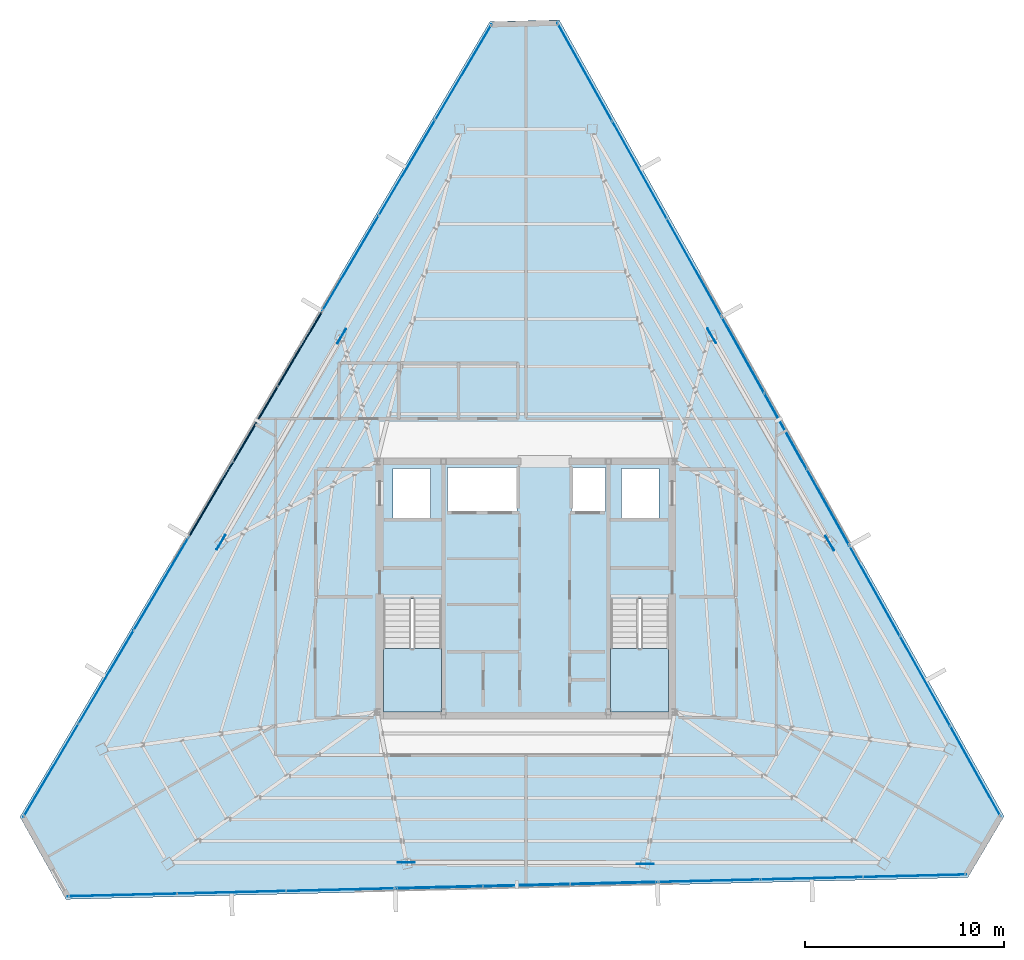
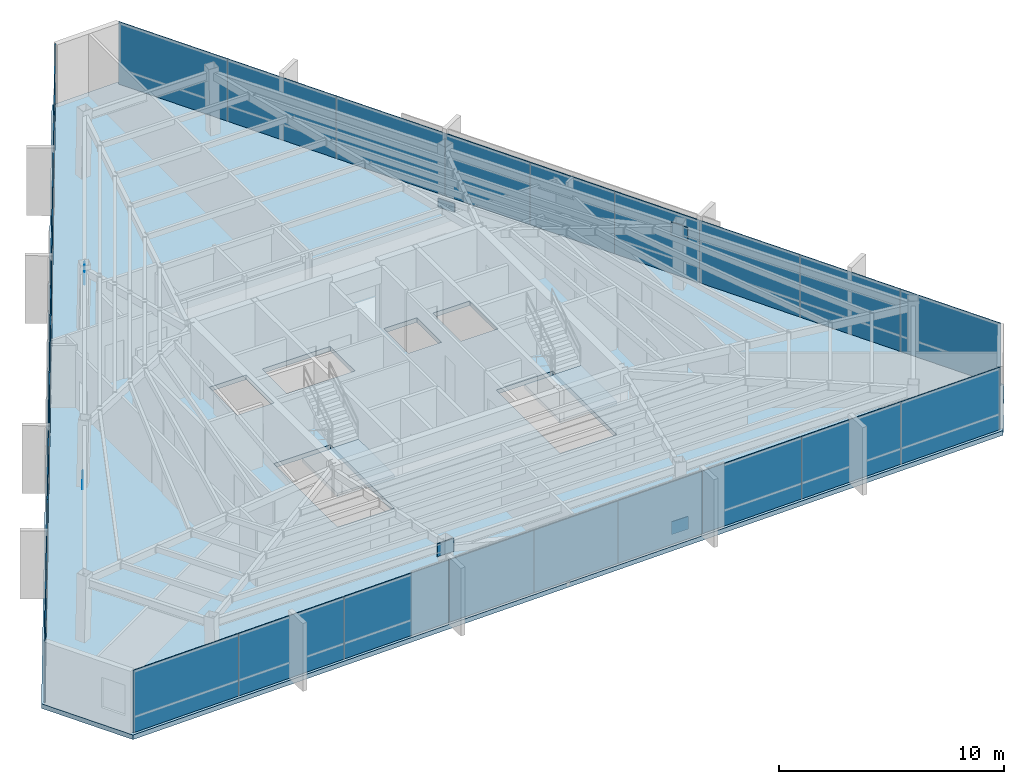
# One storey, part 39 of 48: 33 plates, 3 slabs, 11 elements without a shape of their own.
"""IFC4 building model written with IfcOpenShell, lengths in metres."""

from ifc_helpers import new_model, si_unit, direction, frame, origin, origin_2d, place, context, subcontext, project, spatial, polyline, rectangle, outline, extrude, source, transform, mapped, material, layer, layer_set, type_object, type_shapes, element, aggregate, save


model = new_model("IFC4")

# Units and contexts
model_context = context("Model", 3, precision=1e-05, world=origin(), true_north=direction((0.0, 1.0)))
body_context = subcontext(model_context, "Body", "Model", "MODEL_VIEW")
ifc_project = project(units=[si_unit("LENGTHUNIT", "METRE"), si_unit("AREAUNIT", "SQUARE_METRE"), si_unit("VOLUMEUNIT", "CUBIC_METRE"), si_unit("PLANEANGLEUNIT", "RADIAN"), si_unit("MASSUNIT", "GRAM", prefix="KILO")], contexts=[model_context])

# Site, building, storey
site_placement = place(None, origin())
site = spatial("IfcSite", under=ifc_project, at=site_placement, CompositionType="ELEMENT")
building_placement = place(site_placement, origin())
building = spatial("IfcBuilding", under=site, at=building_placement, Name="Caelisora Broadcast Tower", CompositionType="ELEMENT")
storey_placement = place(building_placement, frame((0.0, 0.0, 277.300048828125)))
storey = spatial("IfcBuildingStorey", under=building, at=storey_placement, Name="L73", CompositionType="ELEMENT", Elevation=277.300048828125)

# Slab
ifc_material_1 = material(Name="Concrete 40 MPa (AS 3600 N40)", Category="concrete")
ifc_layer_1 = layer(ifc_material_1, 0.25, Name="Concrete 40 MPa (AS 3600 N40)")
ifc_layer_set_1 = layer_set([ifc_layer_1], Name="Concrete 40 MPa (AS 3600 N40)")
slab_type_1 = type_object("IfcSlabType", Name="SL04", PredefinedType="FLOOR", material=ifc_layer_set_1)
slab_1_placement = place(storey_placement, frame((0.0, 0.0, -0.25)))
element("IfcSlab", 1, at=slab_1_placement, inside=storey, type_object=slab_type_1, Name="L73 suspended floor SL04", PredefinedType="FLOOR", context=body_context, shape_type="SweptSolid", body=[
    extrude(outline(polyline([(39.672119140625, 52.2099609375), (36.181884765625, 52.1259765625), (12.5419921875, 12.110107421875), (14.85693359375, 7.965087890625), (60.23388671875, 9.06396484375), (62.052001953125, 12.14208984375), (39.672119140625, 52.2099609375)]), holes=[polyline([(30.820068359375, 17.39990234375), (33.739990234375, 17.39990234375), (33.739990234375, 23.080078125), (30.820068359375, 23.080078125), (30.820068359375, 17.39990234375)]), polyline([(42.260009765625, 17.39990234375), (45.179931640625, 17.39990234375), (45.179931640625, 23.080078125), (42.260009765625, 23.080078125), (42.260009765625, 17.39990234375)]), polyline([(42.800048828125, 27.14990234375), (44.699951171875, 27.14990234375), (44.699951171875, 29.64990234375), (42.800048828125, 29.64990234375), (42.800048828125, 27.14990234375)]), polyline([(40.300048828125, 27.5), (42.0, 27.5), (42.0, 29.699951171875), (40.300048828125, 29.699951171875), (40.300048828125, 27.5)]), polyline([(34.050048828125, 27.5), (37.550048828125, 27.5), (37.550048828125, 29.699951171875), (34.050048828125, 29.699951171875), (34.050048828125, 27.5)]), polyline([(31.300048828125, 27.14990234375), (33.199951171875, 27.14990234375), (33.199951171875, 29.64990234375), (31.300048828125, 29.64990234375), (31.300048828125, 27.14990234375)])]), origin(), (0.0, 0.0, 1.0), 0.25),
])

# Stair, slab
stair_type_1 = type_object("IfcStairType", Name="ST-1", PredefinedType="HALF_TURN_STAIR", material=ifc_material_1)
stair_1_placement = place(storey_placement, origin())
stair_1 = element("IfcStair", 2, at=stair_1_placement, inside=storey, type_object=stair_type_1, Name="L73 West Fire-Isolated Tower Stair", PredefinedType="HALF_TURN_STAIR")
ifc_layer_2 = layer(ifc_material_1, 0.199951171875, Name="Concrete 40 MPa (AS 3600 N40)")
ifc_layer_set_2 = layer_set([ifc_layer_2], Name="Concrete 40 MPa (AS 3600 N40)")
slab_type_2 = type_object("IfcSlabType", Name="STL-1", PredefinedType="LANDING", material=ifc_layer_set_2)
slab_2_placement = place(storey_placement, frame((0.0, 0.0, 1.625)))
slab_2 = element("IfcSlab", 3, at=slab_2_placement, type_object=slab_type_2, Name="ST-1 landing 1", PredefinedType="LANDING", context=body_context, shape_type="SweptSolid", body=[
    extrude(outline(polyline([(30.820068359375, 20.580078125), (30.820068359375, 17.39990234375), (33.739990234375, 17.39990234375), (33.739990234375, 20.580078125), (30.820068359375, 20.580078125)])), origin(), (0.0, 0.0, 1.0), 0.199951171875),
])
aggregate(stair_1, [slab_2])

stair_type_2 = type_object("IfcStairType", Name="ST-2", PredefinedType="HALF_TURN_STAIR", material=ifc_material_1)
stair_2_placement = place(storey_placement, origin())
stair_2 = element("IfcStair", 4, at=stair_2_placement, inside=storey, type_object=stair_type_2, Name="L73 East Fire-Isolated Tower Stair", PredefinedType="HALF_TURN_STAIR")
slab_3_placement = place(storey_placement, frame((0.0, 0.0, 1.625)))
slab_3 = element("IfcSlab", 5, at=slab_3_placement, type_object=slab_type_2, Name="ST-2 landing 1", PredefinedType="LANDING", context=body_context, shape_type="SweptSolid", body=[
    extrude(outline(polyline([(42.260009765625, 20.580078125), (42.260009765625, 17.39990234375), (45.179931640625, 17.39990234375), (45.179931640625, 20.580078125), (42.260009765625, 20.580078125)])), origin(), (0.0, 0.0, 1.0), 0.199951171875),
])
aggregate(stair_2, [slab_3])

# Plates
ifc_material_2 = material(Name="Steel Grade 350 L15 (AS/NZS 3678)", Category="steel")
ifc_layer_3 = layer(ifc_material_2, 0.0400390625, Name="Steel Grade 350 L15 (AS/NZS 3678)")
ifc_layer_set_3 = layer_set([ifc_layer_3], Name="Steel Grade 350 L15 (AS/NZS 3678)")
plate_type_1 = type_object("IfcPlateType", Name="GP04", PredefinedType="USERDEFINED", material=ifc_layer_set_3)
shared_shape_1 = source(origin(), body_context, "Body", "SweptSolid", [
    extrude(rectangle(XDim=0.85009765625, YDim=0.0400390625, at=origin_2d()), origin(), (0.0, 0.0, 1.0), 0.699951171875),
])
type_shapes(plate_type_1, [shared_shape_1])
for number, where, z_axis, x_axis, name in (
    (6, (28.7255859375, 36.2998046875, 2.72998046875), (0.0, 0.0, 1.0), (-0.5, -0.866025403784, 0.0), "L73 gusset plate GP04 (ND-L73-C02T)"),
    (7, (22.656494140625, 25.93212890625, -0.22998046875), (0.0, 0.0, 1.0), (-0.5, -0.866025403784, 0.0), "L73 gusset plate GP04 (ND-L73-C03B)"),
    (8, (31.985107421875, 9.818115234375, 2.72998046875), (0.0, 0.0, 1.0), (1.0, 0.0, 0.0), "L73 gusset plate GP04 (ND-L73-C06T)"),
    (9, (43.998291015625, 9.745849609375, -0.22998046875), (0.0, 0.0, 1.0), (1.0, 0.0, 0.0), "L73 gusset plate GP04 (ND-L73-C07B)"),
    (10, (53.289306640625, 25.8818359375, 2.72998046875), (0.0, 0.0, 1.0), (-0.5, 0.866025403784, 0.0), "L73 gusset plate GP04 (ND-L73-C10T)"),
    (11, (47.34521484375, 36.322021484375, -0.22998046875), (0.0, 0.0, 1.0), (-0.5, 0.866025403784, 0.0), "L73 gusset plate GP04 (ND-L73-C11B)"),
):
    element("IfcPlate", number, at=place(storey_placement, frame(where, z_axis=z_axis, x_axis=x_axis)), inside=storey, type_object=plate_type_1, Name=name, ObjectType="GUSSET PLATE", PredefinedType="USERDEFINED", context=body_context, shape_type="MappedRepresentation", body=[
        mapped(shared_shape_1, transform((0.0, 0.0, 0.0), scale=1.0)),
    ])

# Curtain wall, plates
ifc_material_3 = material(Name="Unitised Aluminium and Low-E Glass Curtain Wall", Category="glass")
curtain_wall_type_1 = type_object("IfcCurtainWallType", Name="CW-Z5", PredefinedType="NOTDEFINED", material=ifc_material_3)
curtain_wall_1_placement = place(storey_placement, origin())
curtain_wall_1 = element("IfcCurtainWall", 12, at=curtain_wall_1_placement, inside=storey, type_object=curtain_wall_type_1, Name="L73 curtain wall CW-Z5", PredefinedType="NOTDEFINED")
ifc_material_4 = material(Name="Double Glazed Low-E Argon IGU", Category="glass")
ifc_layer_4 = layer(ifc_material_4, 0.028076171875, Name="Double Glazed Low-E Argon IGU")
ifc_layer_set_4 = layer_set([ifc_layer_4], Name="Double Glazed Low-E Argon IGU")
plate_type_2 = type_object("IfcPlateType", Name="CWP-06", PredefinedType="CURTAIN_PANEL", material=ifc_layer_set_4)
shared_shape_2 = source(origin(), body_context, "Body", "SweptSolid", [
    extrude(rectangle(XDim=5.63916015625, YDim=0.028076171875, at=origin_2d()), origin(), (0.0, 0.0, 1.0), 3.39990234375),
])
plate_1_placement = place(storey_placement, frame((40.9599609375, 49.596435546875, 0.0), z_axis=(0.0, 0.0, 1.0), x_axis=(0.487707298065, -0.873007211547, 0.0)))
plate_1 = element("IfcPlate", 13, at=plate_1_placement, type_object=plate_type_2, Name="L73-CW-B01 glazed panel #1", PredefinedType="CURTAIN_PANEL", context=body_context, shape_type="MappedRepresentation", body=[
    mapped(shared_shape_2, transform((0.0, 0.0, 0.0), scale=1.0)),
])
plate_2_placement = place(storey_placement, frame((43.709716796875, 44.673095703125, 0.0), z_axis=(0.0, 0.0, 1.0), x_axis=(0.487707298065, -0.873007211547, 0.0)))
plate_2 = element("IfcPlate", 14, at=plate_2_placement, type_object=plate_type_2, Name="L73-CW-B01 glazed panel #2", PredefinedType="CURTAIN_PANEL", context=body_context, shape_type="MappedRepresentation", body=[
    mapped(shared_shape_2, transform((0.0, 0.0, 0.0), scale=1.0)),
])
plate_3_placement = place(storey_placement, frame((46.459716796875, 39.75, 0.0), z_axis=(0.0, 0.0, 1.0), x_axis=(0.487707298065, -0.873007211547, 0.0)))
plate_3 = element("IfcPlate", 15, at=plate_3_placement, type_object=plate_type_2, Name="L73-CW-B01 glazed panel #3", PredefinedType="CURTAIN_PANEL", context=body_context, shape_type="MappedRepresentation", body=[
    mapped(shared_shape_2, transform((0.0, 0.0, 0.0), scale=1.0)),
])
aggregate(curtain_wall_1, [plate_1, plate_2, plate_3])

ifc_material_5 = material(Name="Unitised Aluminium Insulated Shadow-Box Spandrel Curtain Wall", Category="aluminium")
curtain_wall_type_2 = type_object("IfcCurtainWallType", Name="CW-SP3", PredefinedType="NOTDEFINED", material=ifc_material_5)
curtain_wall_2_placement = place(storey_placement, origin())
curtain_wall_2 = element("IfcCurtainWall", 16, at=curtain_wall_2_placement, inside=storey, type_object=curtain_wall_type_2, Name="L73 curtain wall CW-SP3", PredefinedType="NOTDEFINED")
ifc_material_6 = material(Name="Insulated Terracotta Shadow-Box Spandrel Panel", Category="aluminium")
ifc_layer_5 = layer(ifc_material_6, 0.0439453125, Name="Insulated Terracotta Shadow-Box Spandrel Panel")
ifc_layer_set_5 = layer_set([ifc_layer_5], Name="Insulated Terracotta Shadow-Box Spandrel Panel")
plate_type_3 = type_object("IfcPlateType", Name="CWP-10", PredefinedType="CURTAIN_PANEL", material=ifc_layer_set_5)
shared_shape_3 = source(origin(), body_context, "Body", "SweptSolid", [
    extrude(rectangle(XDim=4.395263671875, YDim=0.0439453125, at=origin_2d()), origin(), (0.0, 0.0, 1.0), 3.39990234375),
])
plate_4_placement = place(storey_placement, frame((48.9111328125, 35.36083984375, 0.0), z_axis=(0.0, 0.0, 1.0), x_axis=(0.487707298065, -0.873007211547, 0.0)))
plate_4 = element("IfcPlate", 17, at=plate_4_placement, type_object=plate_type_3, Name="L73-CW-B02 spandrel panel #1", PredefinedType="CURTAIN_PANEL", context=body_context, shape_type="MappedRepresentation", body=[
    mapped(shared_shape_3, transform((0.0, 0.0, 0.0), scale=1.0)),
])
plate_5_placement = place(storey_placement, frame((51.054443359375, 31.523681640625, 0.0), z_axis=(0.0, 0.0, 1.0), x_axis=(0.487707298065, -0.873007211547, 0.0)))
plate_5 = element("IfcPlate", 18, at=plate_5_placement, type_object=plate_type_3, Name="L73-CW-B02 spandrel panel #2", PredefinedType="CURTAIN_PANEL", context=body_context, shape_type="MappedRepresentation", body=[
    mapped(shared_shape_3, transform((0.0, 0.0, 0.0), scale=1.0)),
])
plate_6_placement = place(storey_placement, frame((53.19775390625, 27.686279296875, 0.0), z_axis=(0.0, 0.0, 1.0), x_axis=(0.487707298065, -0.873007211547, 0.0)))
plate_6 = element("IfcPlate", 19, at=plate_6_placement, type_object=plate_type_3, Name="L73-CW-B02 spandrel panel #3", PredefinedType="CURTAIN_PANEL", context=body_context, shape_type="MappedRepresentation", body=[
    mapped(shared_shape_3, transform((0.0, 0.0, 0.0), scale=1.0)),
])
aggregate(curtain_wall_2, [plate_4, plate_5, plate_6])

curtain_wall_3_placement = place(storey_placement, origin())
curtain_wall_3 = element("IfcCurtainWall", 20, at=curtain_wall_3_placement, inside=storey, type_object=curtain_wall_type_1, Name="L73 curtain wall CW-Z5", PredefinedType="NOTDEFINED")
shared_shape_4 = source(origin(), body_context, "Body", "SweptSolid", [
    extrude(rectangle(XDim=5.1982421875, YDim=0.028076171875, at=origin_2d()), origin(), (0.0, 0.0, 1.0), 3.39990234375),
])
plate_7_placement = place(storey_placement, frame((55.541748046875, 23.489990234375, 0.0), z_axis=(0.0, 0.0, 1.0), x_axis=(0.487707298065, -0.873007211547, 0.0)))
plate_7 = element("IfcPlate", 21, at=plate_7_placement, type_object=plate_type_2, Name="L73-CW-B03 glazed panel #1", PredefinedType="CURTAIN_PANEL", context=body_context, shape_type="MappedRepresentation", body=[
    mapped(shared_shape_4, transform((0.0, 0.0, 0.0), scale=1.0)),
])
plate_8_placement = place(storey_placement, frame((58.07666015625, 18.951416015625, 0.0), z_axis=(0.0, 0.0, 1.0), x_axis=(0.487707298065, -0.873007211547, 0.0)))
plate_8 = element("IfcPlate", 22, at=plate_8_placement, type_object=plate_type_2, Name="L73-CW-B03 glazed panel #2", PredefinedType="CURTAIN_PANEL", context=body_context, shape_type="MappedRepresentation", body=[
    mapped(shared_shape_4, transform((0.0, 0.0, 0.0), scale=1.0)),
])
plate_9_placement = place(storey_placement, frame((60.611572265625, 14.4130859375, 0.0), z_axis=(0.0, 0.0, 1.0), x_axis=(0.487707298065, -0.873007211547, 0.0)))
plate_9 = element("IfcPlate", 23, at=plate_9_placement, type_object=plate_type_2, Name="L73-CW-B03 glazed panel #3", PredefinedType="CURTAIN_PANEL", context=body_context, shape_type="MappedRepresentation", body=[
    mapped(shared_shape_4, transform((0.0, 0.0, 0.0), scale=1.0)),
])
aggregate(curtain_wall_3, [plate_7, plate_8, plate_9])

curtain_wall_4_placement = place(storey_placement, origin())
curtain_wall_4 = element("IfcCurtainWall", 24, at=curtain_wall_4_placement, inside=storey, type_object=curtain_wall_type_1, Name="L73 curtain wall CW-Z5", PredefinedType="NOTDEFINED")
shared_shape_5 = source(origin(), body_context, "Body", "SweptSolid", [
    extrude(rectangle(XDim=5.17529296875, YDim=0.028076171875, at=origin_2d()), origin(), (0.0, 0.0, 1.0), 3.39990234375),
])
plate_10_placement = place(storey_placement, frame((57.56005859375, 9.1494140625, 0.0), z_axis=(0.0, 0.0, 1.0), x_axis=(-0.999705738774, -0.024257696956, 0.0)))
plate_10 = element("IfcPlate", 25, at=plate_10_placement, type_object=plate_type_2, Name="L73-CW-B05 glazed panel #1", PredefinedType="CURTAIN_PANEL", context=body_context, shape_type="MappedRepresentation", body=[
    mapped(shared_shape_5, transform((0.0, 0.0, 0.0), scale=1.0)),
])
plate_11_placement = place(storey_placement, frame((52.38623046875, 9.02392578125, 0.0), z_axis=(0.0, 0.0, 1.0), x_axis=(-0.999705738774, -0.024257696956, 0.0)))
plate_11 = element("IfcPlate", 26, at=plate_11_placement, type_object=plate_type_2, Name="L73-CW-B05 glazed panel #2", PredefinedType="CURTAIN_PANEL", context=body_context, shape_type="MappedRepresentation", body=[
    mapped(shared_shape_5, transform((0.0, 0.0, 0.0), scale=1.0)),
])
plate_12_placement = place(storey_placement, frame((47.21240234375, 8.898681640625, 0.0), z_axis=(0.0, 0.0, 1.0), x_axis=(-0.999705738774, -0.024257696956, 0.0)))
plate_12 = element("IfcPlate", 27, at=plate_12_placement, type_object=plate_type_2, Name="L73-CW-B05 glazed panel #3", PredefinedType="CURTAIN_PANEL", context=body_context, shape_type="MappedRepresentation", body=[
    mapped(shared_shape_5, transform((0.0, 0.0, 0.0), scale=1.0)),
])
aggregate(curtain_wall_4, [plate_10, plate_11, plate_12])

curtain_wall_5_placement = place(storey_placement, origin())
curtain_wall_5 = element("IfcCurtainWall", 28, at=curtain_wall_5_placement, inside=storey, type_object=curtain_wall_type_2, Name="L73 curtain wall CW-SP3", PredefinedType="NOTDEFINED")
shared_shape_6 = source(origin(), body_context, "Body", "SweptSolid", [
    extrude(rectangle(XDim=4.394287109375, YDim=0.0439453125, at=origin_2d()), origin(), (0.0, 0.0, 1.0), 3.39990234375),
])
plate_13_placement = place(storey_placement, frame((42.419189453125, 8.78271484375, 0.0), z_axis=(0.0, 0.0, 1.0), x_axis=(-0.999705738774, -0.024257696956, 0.0)))
plate_13 = element("IfcPlate", 29, at=plate_13_placement, type_object=plate_type_3, Name="L73-CW-B06 spandrel panel #1", PredefinedType="CURTAIN_PANEL", context=body_context, shape_type="MappedRepresentation", body=[
    mapped(shared_shape_6, transform((0.0, 0.0, 0.0), scale=1.0)),
])
plate_14_placement = place(storey_placement, frame((38.02587890625, 8.676025390625, 0.0), z_axis=(0.0, 0.0, 1.0), x_axis=(-0.999705738774, -0.024257696956, 0.0)))
plate_14 = element("IfcPlate", 30, at=plate_14_placement, type_object=plate_type_3, Name="L73-CW-B06 spandrel panel #2", PredefinedType="CURTAIN_PANEL", context=body_context, shape_type="MappedRepresentation", body=[
    mapped(shared_shape_6, transform((0.0, 0.0, 0.0), scale=1.0)),
])
plate_15_placement = place(storey_placement, frame((33.6328125, 8.569580078125, 0.0), z_axis=(0.0, 0.0, 1.0), x_axis=(-0.999705738774, -0.024257696956, 0.0)))
plate_15 = element("IfcPlate", 31, at=plate_15_placement, type_object=plate_type_3, Name="L73-CW-B06 spandrel panel #3", PredefinedType="CURTAIN_PANEL", context=body_context, shape_type="MappedRepresentation", body=[
    mapped(shared_shape_6, transform((0.0, 0.0, 0.0), scale=1.0)),
])
aggregate(curtain_wall_5, [plate_13, plate_14, plate_15])

curtain_wall_6_placement = place(storey_placement, origin())
curtain_wall_6 = element("IfcCurtainWall", 32, at=curtain_wall_6_placement, inside=storey, type_object=curtain_wall_type_1, Name="L73 curtain wall CW-Z5", PredefinedType="NOTDEFINED")
shared_shape_7 = source(origin(), body_context, "Body", "SweptSolid", [
    extrude(rectangle(XDim=5.49560546875, YDim=0.028076171875, at=origin_2d()), origin(), (0.0, 0.0, 1.0), 3.39990234375),
])
plate_16_placement = place(storey_placement, frame((28.67919921875, 8.44970703125, 0.0), z_axis=(0.0, 0.0, 1.0), x_axis=(-0.999705738774, -0.024257696956, 0.0)))
plate_16 = element("IfcPlate", 33, at=plate_16_placement, type_object=plate_type_2, Name="L73-CW-B07 glazed panel #1", PredefinedType="CURTAIN_PANEL", context=body_context, shape_type="MappedRepresentation", body=[
    mapped(shared_shape_7, transform((0.0, 0.0, 0.0), scale=1.0)),
])
plate_17_placement = place(storey_placement, frame((23.18505859375, 8.316650390625, 0.0), z_axis=(0.0, 0.0, 1.0), x_axis=(-0.999705738774, -0.024257696956, 0.0)))
plate_17 = element("IfcPlate", 34, at=plate_17_placement, type_object=plate_type_2, Name="L73-CW-B07 glazed panel #2", PredefinedType="CURTAIN_PANEL", context=body_context, shape_type="MappedRepresentation", body=[
    mapped(shared_shape_7, transform((0.0, 0.0, 0.0), scale=1.0)),
])
plate_18_placement = place(storey_placement, frame((17.69091796875, 8.18359375, 0.0), z_axis=(0.0, 0.0, 1.0), x_axis=(-0.999705738774, -0.024257696956, 0.0)))
plate_18 = element("IfcPlate", 35, at=plate_18_placement, type_object=plate_type_2, Name="L73-CW-B07 glazed panel #3", PredefinedType="CURTAIN_PANEL", context=body_context, shape_type="MappedRepresentation", body=[
    mapped(shared_shape_7, transform((0.0, 0.0, 0.0), scale=1.0)),
])
aggregate(curtain_wall_6, [plate_16, plate_17, plate_18])

curtain_wall_7_placement = place(storey_placement, origin())
curtain_wall_7 = element("IfcCurtainWall", 36, at=curtain_wall_7_placement, inside=storey, type_object=curtain_wall_type_1, Name="L73 curtain wall CW-Z5", PredefinedType="NOTDEFINED")
shared_shape_8 = source(origin(), body_context, "Body", "SweptSolid", [
    extrude(rectangle(XDim=5.451416015625, YDim=0.028076171875, at=origin_2d()), origin(), (0.0, 0.0, 1.0), 3.39990234375),
])
plate_19_placement = place(storey_placement, frame((14.101318359375, 14.45458984375, 0.0), z_axis=(0.0, 0.0, 1.0), x_axis=(0.508590662521, 0.861008442465, 0.0)))
plate_19 = element("IfcPlate", 37, at=plate_19_placement, type_object=plate_type_2, Name="L73-CW-B09 glazed panel #1", PredefinedType="CURTAIN_PANEL", context=body_context, shape_type="MappedRepresentation", body=[
    mapped(shared_shape_8, transform((0.0, 0.0, 0.0), scale=1.0)),
])
plate_20_placement = place(storey_placement, frame((16.8740234375, 19.148193359375, 0.0), z_axis=(0.0, 0.0, 1.0), x_axis=(0.508590662521, 0.861008442465, 0.0)))
plate_20 = element("IfcPlate", 38, at=plate_20_placement, type_object=plate_type_2, Name="L73-CW-B09 glazed panel #2", PredefinedType="CURTAIN_PANEL", context=body_context, shape_type="MappedRepresentation", body=[
    mapped(shared_shape_8, transform((0.0, 0.0, 0.0), scale=1.0)),
])
plate_21_placement = place(storey_placement, frame((19.64697265625, 23.841796875, 0.0), z_axis=(0.0, 0.0, 1.0), x_axis=(0.508590662521, 0.861008442465, 0.0)))
plate_21 = element("IfcPlate", 39, at=plate_21_placement, type_object=plate_type_2, Name="L73-CW-B09 glazed panel #3", PredefinedType="CURTAIN_PANEL", context=body_context, shape_type="MappedRepresentation", body=[
    mapped(shared_shape_8, transform((0.0, 0.0, 0.0), scale=1.0)),
])
aggregate(curtain_wall_7, [plate_19, plate_20, plate_21])

curtain_wall_8_placement = place(storey_placement, origin())
curtain_wall_8 = element("IfcCurtainWall", 40, at=curtain_wall_8_placement, inside=storey, type_object=curtain_wall_type_2, Name="L73 curtain wall CW-SP3", PredefinedType="NOTDEFINED")
shared_shape_9 = source(origin(), body_context, "Body", "SweptSolid", [
    extrude(rectangle(XDim=4.3955078125, YDim=0.0439453125, at=origin_2d()), origin(), (0.0, 0.0, 1.0), 3.39990234375),
])
type_shapes(plate_type_3, [shared_shape_3, shared_shape_6, shared_shape_9])
plate_22_placement = place(storey_placement, frame((22.15625, 28.089111328125, 0.0), z_axis=(0.0, 0.0, 1.0), x_axis=(0.508590662521, 0.861008442465, 0.0)))
plate_22 = element("IfcPlate", 41, at=plate_22_placement, type_object=plate_type_3, Name="L73-CW-B10 spandrel panel #1", PredefinedType="CURTAIN_PANEL", context=body_context, shape_type="MappedRepresentation", body=[
    mapped(shared_shape_9, transform((0.0, 0.0, 0.0), scale=1.0)),
])
plate_23_placement = place(storey_placement, frame((24.391845703125, 31.87353515625, 0.0), z_axis=(0.0, 0.0, 1.0), x_axis=(0.508590662521, 0.861008442465, 0.0)))
plate_23 = element("IfcPlate", 42, at=plate_23_placement, type_object=plate_type_3, Name="L73-CW-B10 spandrel panel #2", PredefinedType="CURTAIN_PANEL", context=body_context, shape_type="MappedRepresentation", body=[
    mapped(shared_shape_9, transform((0.0, 0.0, 0.0), scale=1.0)),
])
plate_24_placement = place(storey_placement, frame((26.627685546875, 35.657958984375, 0.0), z_axis=(0.0, 0.0, 1.0), x_axis=(0.508590662521, 0.861008442465, 0.0)))
plate_24 = element("IfcPlate", 43, at=plate_24_placement, type_object=plate_type_3, Name="L73-CW-B10 spandrel panel #3", PredefinedType="CURTAIN_PANEL", context=body_context, shape_type="MappedRepresentation", body=[
    mapped(shared_shape_9, transform((0.0, 0.0, 0.0), scale=1.0)),
])
aggregate(curtain_wall_8, [plate_22, plate_23, plate_24])

curtain_wall_9_placement = place(storey_placement, origin())
curtain_wall_9 = element("IfcCurtainWall", 44, at=curtain_wall_9_placement, inside=storey, type_object=curtain_wall_type_1, Name="L73 curtain wall CW-Z5", PredefinedType="NOTDEFINED")
shared_shape_10 = source(origin(), body_context, "Body", "SweptSolid", [
    extrude(rectangle(XDim=5.58251953125, YDim=0.028076171875, at=origin_2d()), origin(), (0.0, 0.0, 1.0), 3.39990234375),
])
type_shapes(plate_type_2, [shared_shape_2, shared_shape_4, shared_shape_5, shared_shape_7, shared_shape_8, shared_shape_10])
plate_25_placement = place(storey_placement, frame((29.17041015625, 39.9619140625, 0.0), z_axis=(0.0, 0.0, 1.0), x_axis=(0.508590662521, 0.861008442465, 0.0)))
plate_25 = element("IfcPlate", 45, at=plate_25_placement, type_object=plate_type_2, Name="L73-CW-B11 glazed panel #1", PredefinedType="CURTAIN_PANEL", context=body_context, shape_type="MappedRepresentation", body=[
    mapped(shared_shape_10, transform((0.0, 0.0, 0.0), scale=1.0)),
])
plate_26_placement = place(storey_placement, frame((32.009765625, 44.768310546875, 0.0), z_axis=(0.0, 0.0, 1.0), x_axis=(0.508590662521, 0.861008442465, 0.0)))
plate_26 = element("IfcPlate", 46, at=plate_26_placement, type_object=plate_type_2, Name="L73-CW-B11 glazed panel #2", PredefinedType="CURTAIN_PANEL", context=body_context, shape_type="MappedRepresentation", body=[
    mapped(shared_shape_10, transform((0.0, 0.0, 0.0), scale=1.0)),
])
plate_27_placement = place(storey_placement, frame((34.849365234375, 49.57470703125, 0.0), z_axis=(0.0, 0.0, 1.0), x_axis=(0.508590662521, 0.861008442465, 0.0)))
plate_27 = element("IfcPlate", 47, at=plate_27_placement, type_object=plate_type_2, Name="L73-CW-B11 glazed panel #3", PredefinedType="CURTAIN_PANEL", context=body_context, shape_type="MappedRepresentation", body=[
    mapped(shared_shape_10, transform((0.0, 0.0, 0.0), scale=1.0)),
])
aggregate(curtain_wall_9, [plate_25, plate_26, plate_27])

save(model, "model.ifc")
